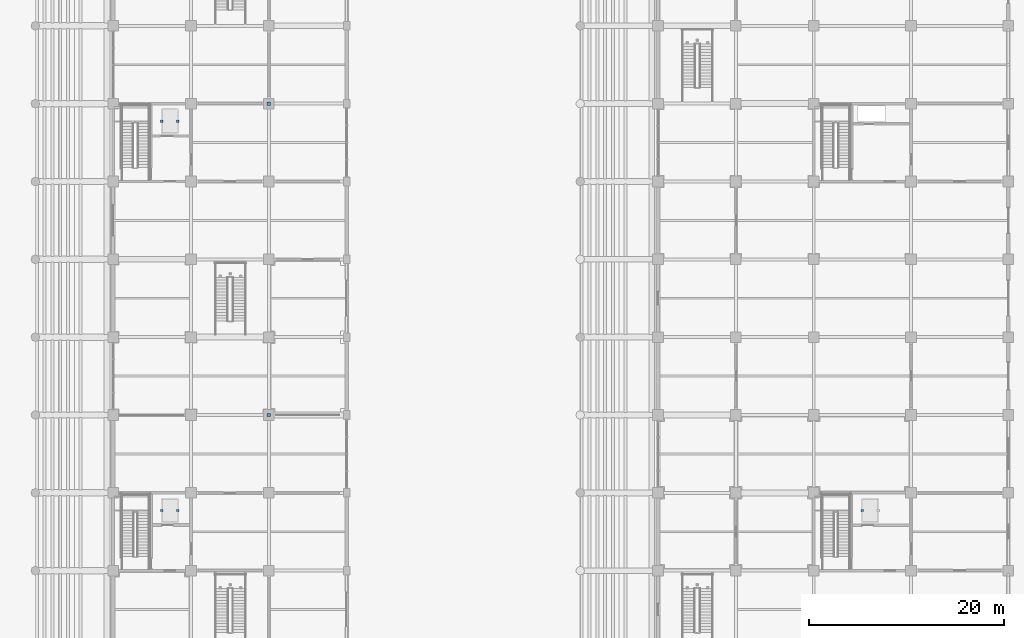
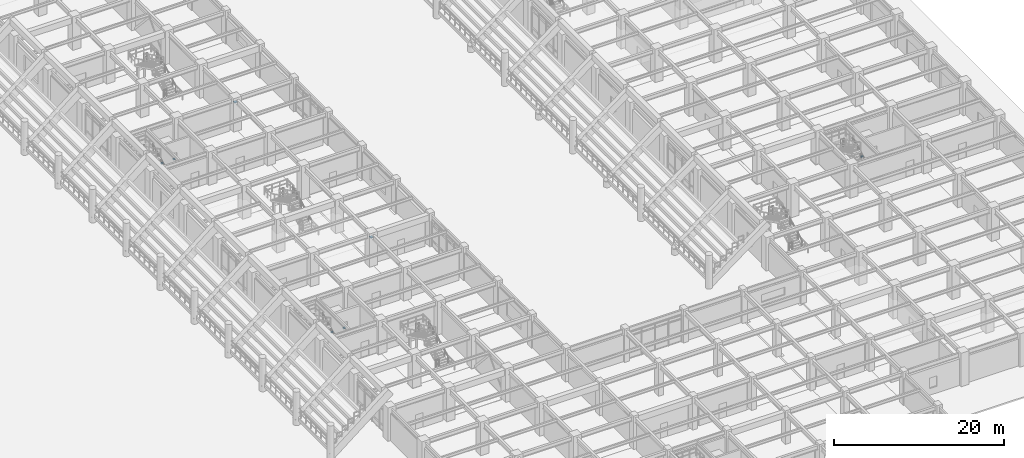
# One storey, part 100 of 125: 7 discrete accessories.
"""IFC4 building model written with IfcOpenShell, lengths in metres."""

from ifc_helpers import new_model, si_unit, direction, frame, origin, origin_2d, place, context, subcontext, project, spatial, rectangle, extrude, material, layer, layer_set, type_object, element, save


model = new_model("IFC4")

# Units and contexts
model_context = context("Model", 3, precision=1e-05, world=origin(), true_north=direction((0.0, 1.0)))
body_context = subcontext(model_context, "Body", "Model", "MODEL_VIEW")
ifc_project = project(units=[si_unit("LENGTHUNIT", "METRE"), si_unit("AREAUNIT", "SQUARE_METRE"), si_unit("VOLUMEUNIT", "CUBIC_METRE"), si_unit("PLANEANGLEUNIT", "RADIAN"), si_unit("MASSUNIT", "GRAM", prefix="KILO")], contexts=[model_context])

# Site, building, storey
site_placement = place(None, origin())
site = spatial("IfcSite", under=ifc_project, at=site_placement, CompositionType="ELEMENT")
building_placement = place(site_placement, origin())
building = spatial("IfcBuilding", under=site, at=building_placement, Name="Haebicheon Civic Stadium", CompositionType="ELEMENT")
storey_placement = place(building_placement, origin())
storey = spatial("IfcBuildingStorey", under=building, at=storey_placement, Name="L01", CompositionType="ELEMENT", Elevation=0.0)

# Discrete accessories
ifc_material_1 = material(Name="Steel SM490", Category="steel")
ifc_layer_1 = layer(ifc_material_1, 0.080078125, Name="Steel SM490")
ifc_layer_set_1 = layer_set([ifc_layer_1], Name="Steel SM490")
discrete_accessory_type_1 = type_object("IfcDiscreteAccessoryType", Name="BRG-PTFE-350", PredefinedType="SHOE", material=ifc_layer_set_1)
for number, where, z_axis, x_axis, name in (
    (1, (160.0, 80.0, 3.820068359375), (0.0, 0.0, 1.0), (1.0, 0.0, 0.0), "Movement joint unguided PTFE sliding bearing 2"),
    (2, (160.0, 112.0, 3.820068359375), (0.0, 0.0, 1.0), (1.0, 0.0, 0.0), "Movement joint unguided PTFE sliding bearing 3"),
):
    element("IfcDiscreteAccessory", number, at=place(storey_placement, frame(where, z_axis=z_axis, x_axis=x_axis)), inside=storey, type_object=discrete_accessory_type_1, material=ifc_layer_set_1, Name=name, PredefinedType="SHOE", context=body_context, shape_type="SweptSolid", body=[
        extrude(rectangle(XDim=0.35009765625, YDim=0.35009765625, at=origin_2d()), origin(), (0.0, 0.0, 1.0), 0.080078125),
    ])
ifc_material_2 = material(Name="Stainless steel 316", Category="steel")
ifc_layer_2 = layer(ifc_material_2, 0.139892578125, Name="Stainless steel 316")
ifc_layer_set_2 = layer_set([ifc_layer_2], Name="Stainless steel 316")
discrete_accessory_type_2 = type_object("IfcDiscreteAccessoryType", Name="BRK-LVR-CLEAT", PredefinedType="BRACKET", material=ifc_layer_set_2)
for number, where, z_axis, x_axis, name in (
    (3, (148.989990234375, 70.179931640625, -0.06005859375), (0.0, 0.0, 1.0), (1.0, 0.0, 0.0), "LF-07 shaft guide-rail bracket W"),
    (4, (150.64990234375, 70.179931640625, -0.06005859375), (0.0, 0.0, 1.0), (1.0, 0.0, 0.0), "LF-07 shaft guide-rail bracket E"),
    (5, (148.989990234375, 110.179931640625, -0.06005859375), (0.0, 0.0, 1.0), (1.0, 0.0, 0.0), "LF-08 shaft guide-rail bracket W"),
    (6, (150.64990234375, 110.179931640625, -0.06005859375), (0.0, 0.0, 1.0), (1.0, 0.0, 0.0), "LF-08 shaft guide-rail bracket E"),
    (7, (220.989990234375, 70.179931640625, -0.06005859375), (0.0, 0.0, 1.0), (1.0, 0.0, 0.0), "LF-09 shaft guide-rail bracket W"),
):
    element("IfcDiscreteAccessory", number, at=place(storey_placement, frame(where, z_axis=z_axis, x_axis=x_axis)), inside=storey, type_object=discrete_accessory_type_2, material=ifc_layer_set_2, Name=name, PredefinedType="BRACKET", context=body_context, shape_type="SweptSolid", body=[
        extrude(rectangle(XDim=0.239990234375, YDim=0.239990234375, at=origin_2d()), origin(), (0.0, 0.0, 1.0), 0.159912109375),
    ])

save(model, "model.ifc")
